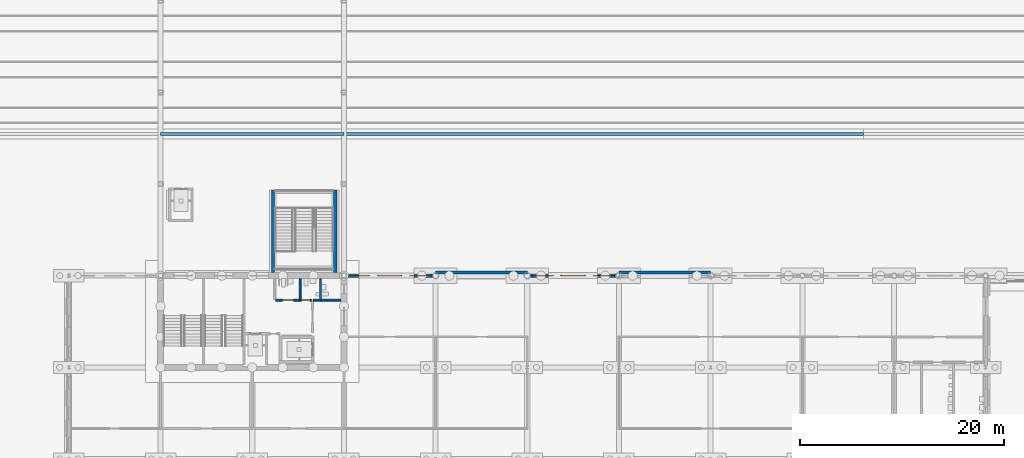
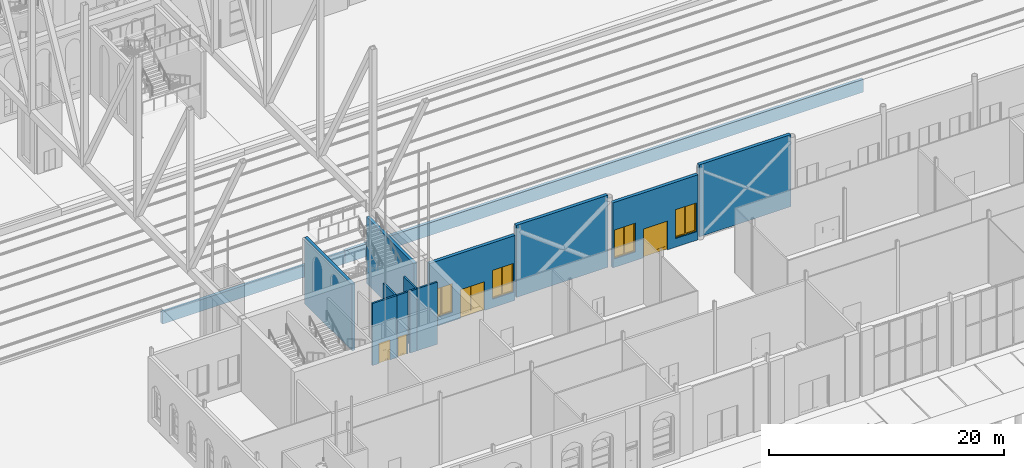
# One storey, part 98 of 250: 14 walls, 4 doors, 4 windows, 8 openings.
"""IFC4 building model written with IfcOpenShell, lengths in metres."""

from ifc_helpers import new_model, si_unit, direction, frame, frame_2d, origin, place, context, subcontext, project, spatial, polyline, rectangle, outline, extrude, material, layer, layer_set, type_object, element, fill, save


model = new_model("IFC4")

# Units and contexts
model_context = context("Model", 3, precision=1e-05, world=origin(), true_north=direction((0.0, 1.0)))
body_context = subcontext(model_context, "Body", "Model", "MODEL_VIEW")
ifc_project = project(units=[si_unit("LENGTHUNIT", "METRE"), si_unit("AREAUNIT", "SQUARE_METRE"), si_unit("VOLUMEUNIT", "CUBIC_METRE"), si_unit("PLANEANGLEUNIT", "RADIAN"), si_unit("MASSUNIT", "GRAM", prefix="KILO")], contexts=[model_context])

# Site, building, storey
site_placement = place(None, origin())
site = spatial("IfcSite", under=ifc_project, at=site_placement, CompositionType="ELEMENT")
building_placement = place(site_placement, origin())
building = spatial("IfcBuilding", under=site, at=building_placement, Name="Baradari Gate Terminus", CompositionType="ELEMENT")
storey_placement = place(building_placement, origin())
storey = spatial("IfcBuildingStorey", under=building, at=storey_placement, Name="L00", CompositionType="ELEMENT", Elevation=0.0)

# Walls
ifc_material_1 = material(Name="Concrete C40/50", Category="concrete")
ifc_layer_1 = layer(ifc_material_1, 0.300048828125)
ifc_layer_set_1 = layer_set([ifc_layer_1], Name="Concrete C40/50")
wall_type_1 = type_object("IfcWallType", Name="Platform edge wall CWL06 300", PredefinedType="SOLIDWALL", material=ifc_layer_set_1)
wall_1_placement = place(storey_placement, frame((72.0, 49.89990234375, -1.572021484375), z_axis=(0.0, 0.0, 1.0), x_axis=(1.0, 0.0, 0.0)))
element("IfcWall", 1, at=wall_1_placement, inside=storey, type_object=wall_type_1, Name="Platform 1 edge wall 1", PredefinedType="SOLIDWALL", context=body_context, shape_type="SweptSolid", body=[
    extrude(rectangle(XDim=18.0, YDim=0.300048828125, at=frame_2d((9.0, 0.0))), origin(), (0.0, 0.0, 1.0), 1.221923828125),
])
wall_2_placement = place(storey_placement, frame((90.0, 49.89990234375, -1.572021484375), z_axis=(0.0, 0.0, 1.0), x_axis=(1.0, 0.0, 0.0)))
element("IfcWall", 2, at=wall_2_placement, inside=storey, type_object=wall_type_1, Name="Platform 1 edge wall 2", PredefinedType="SOLIDWALL", context=body_context, shape_type="SweptSolid", body=[
    extrude(rectangle(XDim=51.0, YDim=0.300048828125, at=frame_2d((25.5, 0.0))), origin(), (0.0, 0.0, 1.0), 1.322021484375),
])
ifc_material_2 = material(Name="Concrete C40/50", Category="concrete")
ifc_layer_2 = layer(ifc_material_2, 0.300048828125)
ifc_layer_set_2 = layer_set([ifc_layer_2], Name="Concrete C40/50")
wall_type_2 = type_object("IfcWallType", Name="Platform stair spine wall SE-3 300 EI 120", PredefinedType="SOLIDWALL", material=ifc_layer_set_2)
for number, where, z_axis, x_axis, name in (
    (3, (83.050048828125, 36.302001953125, 0.0), (0.0, 0.0, 1.0), (0.0, 1.0, 0.0), "Stair spine wall SE-3 PS-1 L00 W"),
    (4, (89.14990234375, 36.302001953125, 0.0), (0.0, 0.0, 1.0), (0.0, 1.0, 0.0), "Stair spine wall SE-3 PS-1 L00 E"),
):
    element("IfcWall", number, at=place(storey_placement, frame(where, z_axis=z_axis, x_axis=x_axis)), inside=storey, type_object=wall_type_2, Name=name, PredefinedType="SOLIDWALL", context=body_context, shape_type="SweptSolid", body=[
        extrude(rectangle(XDim=8.097900390625, YDim=0.300048828125, at=frame_2d((4.048828125, 0.0))), origin(), (0.0, 0.0, 1.0), 6.902099609375),
    ])

# Wall, openings, door, windows
ifc_material_3 = material(Name="Sandstone masonry", Category="masonry")
ifc_layer_3 = layer(ifc_material_3, 0.320068359375)
ifc_layer_set_3 = layer_set([ifc_layer_3], Name="Sandstone masonry")
wall_type_3 = type_object("IfcWallType", Name="Sandstone masonry wall WS-3 320", PredefinedType="SOLIDWALL", material=ifc_layer_set_3)
wall_3_placement = place(storey_placement, frame((90.25, 36.0, 0.0), z_axis=(0.0, 0.0, 1.0), x_axis=(1.0, 0.0, 0.0)))
wall_3 = element("IfcWall", 5, at=wall_3_placement, inside=storey, type_object=wall_type_3, Name="platform side SN bay 11 L00", PredefinedType="SOLIDWALL", context=body_context, shape_type="SweptSolid", body=[
    extrude(rectangle(XDim=8.445068359375, YDim=0.320068359375, at=frame_2d((4.22265625, 0.0))), origin(), (0.0, 0.0, 1.0), 6.767333984375),
])
opening_1_placement = place(wall_3_placement, frame((3.050048828125, 0.0, 0.0)))
opening_1 = element("IfcOpeningElement", 6, at=opening_1_placement, cuts=wall_3, Name="Opening D00-054", PredefinedType="OPENING", context=body_context, shape_type="SweptSolid", body=[
    extrude(rectangle(XDim=2.39990234375, YDim=3.0, at=frame_2d((1.199951171875, 1.5))), frame((0.0, 0.169921875, 0.0), z_axis=(0.0, -1.0, 0.0), x_axis=(1.0, 0.0, 0.0)), (0.0, 0.0, 1.0), 0.340087890625),
])
opening_2_placement = place(wall_3_placement, frame((0.199951171875, 0.0, 0.89990234375)))
opening_2 = element("IfcOpeningElement", 7, at=opening_2_placement, cuts=wall_3, Name="Opening W8", PredefinedType="OPENING", context=body_context, shape_type="SweptSolid", body=[
    extrude(rectangle(XDim=2.10009765625, YDim=3.0, at=frame_2d((1.050048828125, 1.5))), frame((0.0, 0.169921875, 0.0), z_axis=(0.0, -1.0, 0.0), x_axis=(1.0, 0.0, 0.0)), (0.0, 0.0, 1.0), 0.340087890625),
])
opening_3_placement = place(wall_3_placement, frame((6.199951171875, 0.0, 0.89990234375)))
opening_3 = element("IfcOpeningElement", 8, at=opening_3_placement, cuts=wall_3, Name="Opening W8", PredefinedType="OPENING", context=body_context, shape_type="SweptSolid", body=[
    extrude(rectangle(XDim=2.10009765625, YDim=3.0, at=frame_2d((1.050048828125, 1.5))), frame((0.0, 0.169921875, 0.0), z_axis=(0.0, -1.0, 0.0), x_axis=(1.0, 0.0, 0.0)), (0.0, 0.0, 1.0), 0.340087890625),
])
ifc_material_4 = material(Name="Aluminium 6063-T6", Category="aluminium")
door_type_1 = type_object("IfcDoorType", Name="Platform door pair, glazed DT-7 2400x3000", OperationType="DOUBLE_DOOR_SINGLE_SWING", PredefinedType="DOOR", material=ifc_material_4)
door_1_placement = place(opening_1_placement, origin())
door_1 = element("IfcDoor", 9, at=door_1_placement, inside=storey, type_object=door_type_1, Name="Exit door Corridor (Platform Passage South)", OperationType="DOUBLE_DOOR_SINGLE_SWING", OverallHeight=3.0, OverallWidth=2.4, PredefinedType="DOOR", context=body_context, shape_type="SweptSolid", body=[
    extrude(outline(polyline([(0.0, 0.0), (0.070068359375, 0.0), (0.070068359375, 2.929931640625), (2.329833984375, 2.929931640625), (2.329833984375, 0.0), (2.39990234375, 0.0), (2.39990234375, 3.0), (0.0, 3.0), (0.0, 0.0)])), frame((0.0, 0.02490234375, 0.0), z_axis=(0.0, -1.0, 0.0), x_axis=(1.0, 0.0, 0.0)), (0.0, 0.0, 1.0), 0.050048828125),
    extrude(outline(polyline([(0.073974609375, 0.010009765625), (1.19677734375, 0.010009765625), (1.19677734375, 2.926025390625), (0.073974609375, 2.926025390625), (0.073974609375, 0.010009765625)]), holes=[polyline([(0.1640625, 0.31005859375), (1.10693359375, 0.31005859375), (1.10693359375, 2.8359375), (0.1640625, 2.8359375), (0.1640625, 0.31005859375)])]), frame((0.0, 0.017333984375, 0.0), z_axis=(0.0, -1.0, 0.0), x_axis=(1.0, 0.0, 0.0)), (0.0, 0.0, 1.0), 0.034912109375),
    extrude(rectangle(XDim=0.94287109375, YDim=2.52587890625, at=frame_2d((0.635498046875, 1.572998046875))), frame((0.0, 0.005859375, 0.0), z_axis=(0.0, -1.0, 0.0), x_axis=(1.0, 0.0, 0.0)), (0.0, 0.0, 1.0), 0.011962890625),
    extrude(outline(polyline([(1.203125, 0.010009765625), (2.325927734375, 0.010009765625), (2.325927734375, 2.926025390625), (1.203125, 2.926025390625), (1.203125, 0.010009765625)]), holes=[polyline([(1.29296875, 0.31005859375), (2.23583984375, 0.31005859375), (2.23583984375, 2.8359375), (1.29296875, 2.8359375), (1.29296875, 0.31005859375)])]), frame((0.0, 0.017333984375, 0.0), z_axis=(0.0, -1.0, 0.0), x_axis=(1.0, 0.0, 0.0)), (0.0, 0.0, 1.0), 0.034912109375),
    extrude(rectangle(XDim=0.94287109375, YDim=2.52587890625, at=frame_2d((1.764404296875, 1.572998046875))), frame((0.0, 0.005859375, 0.0), z_axis=(0.0, -1.0, 0.0), x_axis=(1.0, 0.0, 0.0)), (0.0, 0.0, 1.0), 0.011962890625),
])
fill(opening_1, door_1)
ifc_material_5 = material(Name="Aluminium 6063-T6", Category="aluminium")
window_type = type_object("IfcWindowType", Name="Platform-side window, 2-light W8 2100x3000", PartitioningType="DOUBLE_PANEL_VERTICAL", PredefinedType="WINDOW", material=ifc_material_5)
window_1_placement = place(opening_2_placement, origin())
window_1 = element("IfcWindow", 10, at=window_1_placement, inside=storey, type_object=window_type, Name="Window W8 SN/10", OverallHeight=3.0, OverallWidth=2.1, PartitioningType="DOUBLE_PANEL_VERTICAL", PredefinedType="WINDOW", context=body_context, shape_type="SweptSolid", body=[
    extrude(outline(polyline([(0.0, 0.0), (2.10009765625, 0.0), (2.10009765625, 3.0), (0.0, 3.0), (0.0, 0.0)]), holes=[polyline([(0.070068359375, 0.070068359375), (2.030029296875, 0.070068359375), (2.030029296875, 2.929931640625), (0.070068359375, 2.929931640625), (0.070068359375, 0.070068359375)])]), frame((0.0, 0.030029296875, 0.0), z_axis=(0.0, -1.0, 0.0), x_axis=(1.0, 0.0, 0.0)), (0.0, 0.0, 1.0), 0.06005859375),
    extrude(rectangle(XDim=0.0400390625, YDim=2.85986328125, at=frame_2d((1.050048828125, 1.5))), frame((0.0, 0.02197265625, 0.0), z_axis=(0.0, -1.0, 0.0), x_axis=(1.0, 0.0, 0.0)), (0.0, 0.0, 1.0), 0.0439453125),
    extrude(outline(polyline([(0.070068359375, 0.070068359375), (1.030029296875, 0.070068359375), (1.030029296875, 2.929931640625), (0.070068359375, 2.929931640625), (0.070068359375, 0.070068359375)]), holes=[polyline([(0.10009765625, 0.10009765625), (1.0, 0.10009765625), (1.0, 2.89990234375), (0.10009765625, 2.89990234375), (0.10009765625, 0.10009765625)])]), frame((0.0, 0.0224609375, 0.0), z_axis=(0.0, -1.0, 0.0), x_axis=(1.0, 0.0, 0.0)), (0.0, 0.0, 1.0), 0.044921875),
    extrude(rectangle(XDim=0.89990234375, YDim=2.7998046875, at=frame_2d((0.550048828125, 1.5))), frame((0.0, 0.006103515625, 0.0), z_axis=(0.0, -1.0, 0.0), x_axis=(1.0, 0.0, 0.0)), (0.0, 0.0, 1.0), 0.01220703125),
    extrude(outline(polyline([(1.070068359375, 0.070068359375), (2.030029296875, 0.070068359375), (2.030029296875, 2.929931640625), (1.070068359375, 2.929931640625), (1.070068359375, 0.070068359375)]), holes=[polyline([(1.10009765625, 0.10009765625), (2.0, 0.10009765625), (2.0, 2.89990234375), (1.10009765625, 2.89990234375), (1.10009765625, 0.10009765625)])]), frame((0.0, 0.0224609375, 0.0), z_axis=(0.0, -1.0, 0.0), x_axis=(1.0, 0.0, 0.0)), (0.0, 0.0, 1.0), 0.044921875),
    extrude(rectangle(XDim=0.89990234375, YDim=2.7998046875, at=frame_2d((1.550048828125, 1.5))), frame((0.0, 0.006103515625, 0.0), z_axis=(0.0, -1.0, 0.0), x_axis=(1.0, 0.0, 0.0)), (0.0, 0.0, 1.0), 0.01220703125),
])
fill(opening_2, window_1)
window_2_placement = place(opening_3_placement, origin())
window_2 = element("IfcWindow", 11, at=window_2_placement, inside=storey, type_object=window_type, Name="Window W8 SN/10", OverallHeight=3.0, OverallWidth=2.1, PartitioningType="DOUBLE_PANEL_VERTICAL", PredefinedType="WINDOW", context=body_context, shape_type="SweptSolid", body=[
    extrude(outline(polyline([(0.0, 0.0), (2.10009765625, 0.0), (2.10009765625, 3.0), (0.0, 3.0), (0.0, 0.0)]), holes=[polyline([(0.070068359375, 0.070068359375), (2.030029296875, 0.070068359375), (2.030029296875, 2.929931640625), (0.070068359375, 2.929931640625), (0.070068359375, 0.070068359375)])]), frame((0.0, 0.030029296875, 0.0), z_axis=(0.0, -1.0, 0.0), x_axis=(1.0, 0.0, 0.0)), (0.0, 0.0, 1.0), 0.06005859375),
    extrude(rectangle(XDim=0.0400390625, YDim=2.85986328125, at=frame_2d((1.050048828125, 1.5))), frame((0.0, 0.02197265625, 0.0), z_axis=(0.0, -1.0, 0.0), x_axis=(1.0, 0.0, 0.0)), (0.0, 0.0, 1.0), 0.0439453125),
    extrude(outline(polyline([(0.070068359375, 0.070068359375), (1.030029296875, 0.070068359375), (1.030029296875, 2.929931640625), (0.070068359375, 2.929931640625), (0.070068359375, 0.070068359375)]), holes=[polyline([(0.10009765625, 0.10009765625), (1.0, 0.10009765625), (1.0, 2.89990234375), (0.10009765625, 2.89990234375), (0.10009765625, 0.10009765625)])]), frame((0.0, 0.0224609375, 0.0), z_axis=(0.0, -1.0, 0.0), x_axis=(1.0, 0.0, 0.0)), (0.0, 0.0, 1.0), 0.044921875),
    extrude(rectangle(XDim=0.89990234375, YDim=2.7998046875, at=frame_2d((0.550048828125, 1.5))), frame((0.0, 0.006103515625, 0.0), z_axis=(0.0, -1.0, 0.0), x_axis=(1.0, 0.0, 0.0)), (0.0, 0.0, 1.0), 0.01220703125),
    extrude(outline(polyline([(1.070068359375, 0.070068359375), (2.030029296875, 0.070068359375), (2.030029296875, 2.929931640625), (1.070068359375, 2.929931640625), (1.070068359375, 0.070068359375)]), holes=[polyline([(1.10009765625, 0.10009765625), (2.0, 0.10009765625), (2.0, 2.89990234375), (1.10009765625, 2.89990234375), (1.10009765625, 0.10009765625)])]), frame((0.0, 0.0224609375, 0.0), z_axis=(0.0, -1.0, 0.0), x_axis=(1.0, 0.0, 0.0)), (0.0, 0.0, 1.0), 0.044921875),
    extrude(rectangle(XDim=0.89990234375, YDim=2.7998046875, at=frame_2d((1.550048828125, 1.5))), frame((0.0, 0.006103515625, 0.0), z_axis=(0.0, -1.0, 0.0), x_axis=(1.0, 0.0, 0.0)), (0.0, 0.0, 1.0), 0.01220703125),
])
fill(opening_3, window_2)

# Wall
wall_4_placement = place(storey_placement, frame((99.0, 36.31005859375, 0.0), z_axis=(0.0, 0.0, 1.0), x_axis=(1.0, 0.0, 0.0)))
element("IfcWall", 12, at=wall_4_placement, inside=storey, type_object=wall_type_3, Name="External wall platform side bay 11 L00", PredefinedType="SOLIDWALL", context=body_context, shape_type="SweptSolid", body=[
    extrude(rectangle(XDim=9.0, YDim=0.320068359375, at=frame_2d((4.5, 0.0))), origin(), (0.0, 0.0, 1.0), 7.5),
])

# Wall, openings, door, windows
wall_5_placement = place(storey_placement, frame((108.304931640625, 36.0, 0.0), z_axis=(0.0, 0.0, 1.0), x_axis=(1.0, 0.0, 0.0)))
wall_5 = element("IfcWall", 13, at=wall_5_placement, inside=storey, type_object=wall_type_3, Name="platform side SN bay 13 L00", PredefinedType="SOLIDWALL", context=body_context, shape_type="SweptSolid", body=[
    extrude(rectangle(XDim=8.39013671875, YDim=0.320068359375, at=frame_2d((4.195068359375, 0.0))), origin(), (0.0, 0.0, 1.0), 6.767333984375),
])
opening_4_placement = place(wall_5_placement, frame((2.9951171875, 0.0, 0.0)))
opening_4 = element("IfcOpeningElement", 14, at=opening_4_placement, cuts=wall_5, Name="Opening D00-055", PredefinedType="OPENING", context=body_context, shape_type="SweptSolid", body=[
    extrude(rectangle(XDim=2.39990234375, YDim=3.0, at=frame_2d((1.199951171875, 1.5))), frame((0.0, 0.169921875, 0.0), z_axis=(0.0, -1.0, 0.0), x_axis=(1.0, 0.0, 0.0)), (0.0, 0.0, 1.0), 0.340087890625),
])
opening_5_placement = place(wall_5_placement, frame((0.14501953125, 0.0, 0.89990234375)))
opening_5 = element("IfcOpeningElement", 15, at=opening_5_placement, cuts=wall_5, Name="Opening W8", PredefinedType="OPENING", context=body_context, shape_type="SweptSolid", body=[
    extrude(rectangle(XDim=2.10009765625, YDim=3.0, at=frame_2d((1.050048828125, 1.5))), frame((0.0, 0.169921875, 0.0), z_axis=(0.0, -1.0, 0.0), x_axis=(1.0, 0.0, 0.0)), (0.0, 0.0, 1.0), 0.340087890625),
])
opening_6_placement = place(wall_5_placement, frame((6.14501953125, 0.0, 0.89990234375)))
opening_6 = element("IfcOpeningElement", 16, at=opening_6_placement, cuts=wall_5, Name="Opening W8", PredefinedType="OPENING", context=body_context, shape_type="SweptSolid", body=[
    extrude(rectangle(XDim=2.10009765625, YDim=3.0, at=frame_2d((1.050048828125, 1.5))), frame((0.0, 0.169921875, 0.0), z_axis=(0.0, -1.0, 0.0), x_axis=(1.0, 0.0, 0.0)), (0.0, 0.0, 1.0), 0.340087890625),
])
door_2_placement = place(opening_4_placement, origin())
door_2 = element("IfcDoor", 17, at=door_2_placement, inside=storey, type_object=door_type_1, Name="Exit door Corridor (Platform Passage South)", OperationType="DOUBLE_DOOR_SINGLE_SWING", OverallHeight=3.0, OverallWidth=2.4, PredefinedType="DOOR", context=body_context, shape_type="SweptSolid", body=[
    extrude(outline(polyline([(0.0, 0.0), (0.070068359375, 0.0), (0.070068359375, 2.929931640625), (2.329833984375, 2.929931640625), (2.329833984375, 0.0), (2.39990234375, 0.0), (2.39990234375, 3.0), (0.0, 3.0), (0.0, 0.0)])), frame((0.0, 0.02490234375, 0.0), z_axis=(0.0, -1.0, 0.0), x_axis=(1.0, 0.0, 0.0)), (0.0, 0.0, 1.0), 0.050048828125),
    extrude(outline(polyline([(0.073974609375, 0.010009765625), (1.19677734375, 0.010009765625), (1.19677734375, 2.926025390625), (0.073974609375, 2.926025390625), (0.073974609375, 0.010009765625)]), holes=[polyline([(0.1640625, 0.31005859375), (1.10693359375, 0.31005859375), (1.10693359375, 2.8359375), (0.1640625, 2.8359375), (0.1640625, 0.31005859375)])]), frame((0.0, 0.017333984375, 0.0), z_axis=(0.0, -1.0, 0.0), x_axis=(1.0, 0.0, 0.0)), (0.0, 0.0, 1.0), 0.034912109375),
    extrude(rectangle(XDim=0.94287109375, YDim=2.52587890625, at=frame_2d((0.635498046875, 1.572998046875))), frame((0.0, 0.005859375, 0.0), z_axis=(0.0, -1.0, 0.0), x_axis=(1.0, 0.0, 0.0)), (0.0, 0.0, 1.0), 0.011962890625),
    extrude(outline(polyline([(1.203125, 0.010009765625), (2.325927734375, 0.010009765625), (2.325927734375, 2.926025390625), (1.203125, 2.926025390625), (1.203125, 0.010009765625)]), holes=[polyline([(1.29296875, 0.31005859375), (2.23583984375, 0.31005859375), (2.23583984375, 2.8359375), (1.29296875, 2.8359375), (1.29296875, 0.31005859375)])]), frame((0.0, 0.017333984375, 0.0), z_axis=(0.0, -1.0, 0.0), x_axis=(1.0, 0.0, 0.0)), (0.0, 0.0, 1.0), 0.034912109375),
    extrude(rectangle(XDim=0.94287109375, YDim=2.52587890625, at=frame_2d((1.764404296875, 1.572998046875))), frame((0.0, 0.005859375, 0.0), z_axis=(0.0, -1.0, 0.0), x_axis=(1.0, 0.0, 0.0)), (0.0, 0.0, 1.0), 0.011962890625),
])
fill(opening_4, door_2)
window_3_placement = place(opening_5_placement, origin())
window_3 = element("IfcWindow", 18, at=window_3_placement, inside=storey, type_object=window_type, Name="Window W8 SN/12", OverallHeight=3.0, OverallWidth=2.1, PartitioningType="DOUBLE_PANEL_VERTICAL", PredefinedType="WINDOW", context=body_context, shape_type="SweptSolid", body=[
    extrude(outline(polyline([(0.0, 0.0), (2.10009765625, 0.0), (2.10009765625, 3.0), (0.0, 3.0), (0.0, 0.0)]), holes=[polyline([(0.070068359375, 0.070068359375), (2.030029296875, 0.070068359375), (2.030029296875, 2.929931640625), (0.070068359375, 2.929931640625), (0.070068359375, 0.070068359375)])]), frame((0.0, 0.030029296875, 0.0), z_axis=(0.0, -1.0, 0.0), x_axis=(1.0, 0.0, 0.0)), (0.0, 0.0, 1.0), 0.06005859375),
    extrude(rectangle(XDim=0.0400390625, YDim=2.85986328125, at=frame_2d((1.050048828125, 1.5))), frame((0.0, 0.02197265625, 0.0), z_axis=(0.0, -1.0, 0.0), x_axis=(1.0, 0.0, 0.0)), (0.0, 0.0, 1.0), 0.0439453125),
    extrude(outline(polyline([(0.070068359375, 0.070068359375), (1.030029296875, 0.070068359375), (1.030029296875, 2.929931640625), (0.070068359375, 2.929931640625), (0.070068359375, 0.070068359375)]), holes=[polyline([(0.10009765625, 0.10009765625), (1.0, 0.10009765625), (1.0, 2.89990234375), (0.10009765625, 2.89990234375), (0.10009765625, 0.10009765625)])]), frame((0.0, 0.0224609375, 0.0), z_axis=(0.0, -1.0, 0.0), x_axis=(1.0, 0.0, 0.0)), (0.0, 0.0, 1.0), 0.044921875),
    extrude(rectangle(XDim=0.89990234375, YDim=2.7998046875, at=frame_2d((0.550048828125, 1.5))), frame((0.0, 0.006103515625, 0.0), z_axis=(0.0, -1.0, 0.0), x_axis=(1.0, 0.0, 0.0)), (0.0, 0.0, 1.0), 0.01220703125),
    extrude(outline(polyline([(1.070068359375, 0.070068359375), (2.030029296875, 0.070068359375), (2.030029296875, 2.929931640625), (1.070068359375, 2.929931640625), (1.070068359375, 0.070068359375)]), holes=[polyline([(1.10009765625, 0.10009765625), (2.0, 0.10009765625), (2.0, 2.89990234375), (1.10009765625, 2.89990234375), (1.10009765625, 0.10009765625)])]), frame((0.0, 0.0224609375, 0.0), z_axis=(0.0, -1.0, 0.0), x_axis=(1.0, 0.0, 0.0)), (0.0, 0.0, 1.0), 0.044921875),
    extrude(rectangle(XDim=0.89990234375, YDim=2.7998046875, at=frame_2d((1.550048828125, 1.5))), frame((0.0, 0.006103515625, 0.0), z_axis=(0.0, -1.0, 0.0), x_axis=(1.0, 0.0, 0.0)), (0.0, 0.0, 1.0), 0.01220703125),
])
fill(opening_5, window_3)
window_4_placement = place(opening_6_placement, origin())
window_4 = element("IfcWindow", 19, at=window_4_placement, inside=storey, type_object=window_type, Name="Window W8 SN/12", OverallHeight=3.0, OverallWidth=2.1, PartitioningType="DOUBLE_PANEL_VERTICAL", PredefinedType="WINDOW", context=body_context, shape_type="SweptSolid", body=[
    extrude(outline(polyline([(0.0, 0.0), (2.10009765625, 0.0), (2.10009765625, 3.0), (0.0, 3.0), (0.0, 0.0)]), holes=[polyline([(0.070068359375, 0.070068359375), (2.030029296875, 0.070068359375), (2.030029296875, 2.929931640625), (0.070068359375, 2.929931640625), (0.070068359375, 0.070068359375)])]), frame((0.0, 0.030029296875, 0.0), z_axis=(0.0, -1.0, 0.0), x_axis=(1.0, 0.0, 0.0)), (0.0, 0.0, 1.0), 0.06005859375),
    extrude(rectangle(XDim=0.0400390625, YDim=2.85986328125, at=frame_2d((1.050048828125, 1.5))), frame((0.0, 0.02197265625, 0.0), z_axis=(0.0, -1.0, 0.0), x_axis=(1.0, 0.0, 0.0)), (0.0, 0.0, 1.0), 0.0439453125),
    extrude(outline(polyline([(0.070068359375, 0.070068359375), (1.030029296875, 0.070068359375), (1.030029296875, 2.929931640625), (0.070068359375, 2.929931640625), (0.070068359375, 0.070068359375)]), holes=[polyline([(0.10009765625, 0.10009765625), (1.0, 0.10009765625), (1.0, 2.89990234375), (0.10009765625, 2.89990234375), (0.10009765625, 0.10009765625)])]), frame((0.0, 0.0224609375, 0.0), z_axis=(0.0, -1.0, 0.0), x_axis=(1.0, 0.0, 0.0)), (0.0, 0.0, 1.0), 0.044921875),
    extrude(rectangle(XDim=0.89990234375, YDim=2.7998046875, at=frame_2d((0.550048828125, 1.5))), frame((0.0, 0.006103515625, 0.0), z_axis=(0.0, -1.0, 0.0), x_axis=(1.0, 0.0, 0.0)), (0.0, 0.0, 1.0), 0.01220703125),
    extrude(outline(polyline([(1.070068359375, 0.070068359375), (2.030029296875, 0.070068359375), (2.030029296875, 2.929931640625), (1.070068359375, 2.929931640625), (1.070068359375, 0.070068359375)]), holes=[polyline([(1.10009765625, 0.10009765625), (2.0, 0.10009765625), (2.0, 2.89990234375), (1.10009765625, 2.89990234375), (1.10009765625, 0.10009765625)])]), frame((0.0, 0.0224609375, 0.0), z_axis=(0.0, -1.0, 0.0), x_axis=(1.0, 0.0, 0.0)), (0.0, 0.0, 1.0), 0.044921875),
    extrude(rectangle(XDim=0.89990234375, YDim=2.7998046875, at=frame_2d((1.550048828125, 1.5))), frame((0.0, 0.006103515625, 0.0), z_axis=(0.0, -1.0, 0.0), x_axis=(1.0, 0.0, 0.0)), (0.0, 0.0, 1.0), 0.01220703125),
])
fill(opening_6, window_4)

# Wall
wall_6_placement = place(storey_placement, frame((117.0, 36.31005859375, 0.0), z_axis=(0.0, 0.0, 1.0), x_axis=(1.0, 0.0, 0.0)))
element("IfcWall", 20, at=wall_6_placement, inside=storey, type_object=wall_type_3, Name="External wall platform side bay 13 L00", PredefinedType="SOLIDWALL", context=body_context, shape_type="SweptSolid", body=[
    extrude(rectangle(XDim=9.0, YDim=0.320068359375, at=frame_2d((4.5, 0.0))), origin(), (0.0, 0.0, 1.0), 7.5),
])

# Wall, opening, door
ifc_material_6 = material(Name="Blockwork wall, tiled both faces", Category="masonry")
ifc_layer_4 = layer(ifc_material_6, 0.175048828125)
ifc_layer_set_4 = layer_set([ifc_layer_4], Name="Blockwork wall, tiled both faces")
wall_type_4 = type_object("IfcWallType", Name="WC wet wall PT-6 175 EI 60", PredefinedType="PARTITIONING", material=ifc_layer_set_4)
wall_7_placement = place(storey_placement, frame((85.699951171875, 33.60009765625, 0.0), z_axis=(0.0, 0.0, 1.0), x_axis=(1.0, 0.0, 0.0)))
wall_7 = element("IfcWall", 21, at=wall_7_placement, inside=storey, type_object=wall_type_4, Name="PT-6 partition Lift Lobby / Male WC", PredefinedType="PARTITIONING", context=body_context, shape_type="SweptSolid", body=[
    extrude(rectangle(XDim=1.10009765625, YDim=0.175048828125, at=frame_2d((0.550048828125, 0.0))), origin(), (0.0, 0.0, 1.0), 6.458984375),
])
opening_7_placement = place(wall_7_placement, frame((0.10009765625, 0.0, 0.0)))
opening_7 = element("IfcOpeningElement", 22, at=opening_7_placement, cuts=wall_7, Name="Opening D00-168", PredefinedType="OPENING", context=body_context, shape_type="SweptSolid", body=[
    extrude(rectangle(XDim=0.89990234375, YDim=2.10009765625, at=frame_2d((0.449951171875, 1.050048828125))), frame((0.0, 0.097412109375, 0.0), z_axis=(0.0, -1.0, 0.0), x_axis=(1.0, 0.0, 0.0)), (0.0, 0.0, 1.0), 0.195068359375),
])
ifc_material_7 = material(Name="Steel S275", Category="steel")
door_type_2 = type_object("IfcDoorType", Name="Fire door FI-900-FD60S 900x2100 FD60S", OperationType="SINGLE_SWING_LEFT", PredefinedType="DOOR", material=ifc_material_7)
door_3_placement = place(opening_7_placement, origin())
door_3 = element("IfcDoor", 23, at=door_3_placement, inside=storey, type_object=door_type_2, Name="Door Male WC", OperationType="SINGLE_SWING_LEFT", OverallHeight=2.1, OverallWidth=0.9, PredefinedType="DOOR", context=body_context, shape_type="SweptSolid", body=[
    extrude(outline(polyline([(0.0, 0.0), (0.070068359375, 0.0), (0.070068359375, 2.030029296875), (0.829833984375, 2.030029296875), (0.829833984375, 0.0), (0.89990234375, 0.0), (0.89990234375, 2.10009765625), (0.0, 2.10009765625), (0.0, 0.0)])), frame((0.0, 0.02490234375, 0.0), z_axis=(0.0, -1.0, 0.0), x_axis=(1.0, 0.0, 0.0)), (0.0, 0.0, 1.0), 0.050048828125),
    extrude(outline(polyline([(0.073974609375, 0.010009765625), (0.825927734375, 0.010009765625), (0.825927734375, 2.026123046875), (0.073974609375, 2.026123046875), (0.073974609375, 0.010009765625)]), holes=[polyline([(0.194091796875, 0.159912109375), (0.705810546875, 0.159912109375), (0.705810546875, 1.010009765625), (0.194091796875, 1.010009765625), (0.194091796875, 0.159912109375)]), polyline([(0.300048828125, 1.159912109375), (0.599853515625, 1.159912109375), (0.599853515625, 1.760009765625), (0.300048828125, 1.760009765625), (0.300048828125, 1.159912109375)])]), frame((0.0, 0.017333984375, 0.0), z_axis=(0.0, -1.0, 0.0), x_axis=(1.0, 0.0, 0.0)), (0.0, 0.0, 1.0), 0.034912109375),
    extrude(rectangle(XDim=0.51171875, YDim=0.85009765625, at=frame_2d((0.449951171875, 0.5849609375))), frame((0.0, 0.008544921875, 0.0), z_axis=(0.0, -1.0, 0.0), x_axis=(1.0, 0.0, 0.0)), (0.0, 0.0, 1.0), 0.017333984375),
    extrude(rectangle(XDim=0.2998046875, YDim=0.60009765625, at=frame_2d((0.449951171875, 1.4599609375))), frame((0.0, 0.005859375, 0.0), z_axis=(0.0, -1.0, 0.0), x_axis=(1.0, 0.0, 0.0)), (0.0, 0.0, 1.0), 0.011962890625),
])
fill(opening_7, door_3)

wall_8_placement = place(storey_placement, frame((83.300048828125, 33.60009765625, 0.0), z_axis=(0.0, 0.0, 1.0), x_axis=(1.0, 0.0, 0.0)))
wall_8 = element("IfcWall", 24, at=wall_8_placement, inside=storey, type_object=wall_type_4, Name="PT-6 partition Lift Lobby / Accessible WC", PredefinedType="PARTITIONING", context=body_context, shape_type="SweptSolid", body=[
    extrude(rectangle(XDim=2.39990234375, YDim=0.175048828125, at=frame_2d((1.199951171875, 0.0))), origin(), (0.0, 0.0, 1.0), 6.458984375),
])
opening_8_placement = place(wall_8_placement, frame((0.64990234375, 0.0, 0.0)))
opening_8 = element("IfcOpeningElement", 25, at=opening_8_placement, cuts=wall_8, Name="Opening D00-167", PredefinedType="OPENING", context=body_context, shape_type="SweptSolid", body=[
    extrude(rectangle(XDim=1.10009765625, YDim=2.10009765625, at=frame_2d((0.550048828125, 1.050048828125))), frame((0.0, 0.097412109375, 0.0), z_axis=(0.0, -1.0, 0.0), x_axis=(1.0, 0.0, 0.0)), (0.0, 0.0, 1.0), 0.195068359375),
])
ifc_material_8 = material(Name="Steel S275", Category="steel")
door_type_3 = type_object("IfcDoorType", Name="Fire door FI-1100-FD60S 1100x2100 FD60S", OperationType="SINGLE_SWING_LEFT", PredefinedType="DOOR", material=ifc_material_8)
door_4_placement = place(opening_8_placement, origin())
door_4 = element("IfcDoor", 26, at=door_4_placement, inside=storey, type_object=door_type_3, Name="Door Accessible WC", OperationType="SINGLE_SWING_LEFT", OverallHeight=2.1, OverallWidth=1.1, PredefinedType="DOOR", context=body_context, shape_type="SweptSolid", body=[
    extrude(outline(polyline([(0.0, 0.0), (0.070068359375, 0.0), (0.070068359375, 2.030029296875), (1.030029296875, 2.030029296875), (1.030029296875, 0.0), (1.10009765625, 0.0), (1.10009765625, 2.10009765625), (0.0, 2.10009765625), (0.0, 0.0)])), frame((0.0, 0.02490234375, 0.0), z_axis=(0.0, -1.0, 0.0), x_axis=(1.0, 0.0, 0.0)), (0.0, 0.0, 1.0), 0.050048828125),
    extrude(outline(polyline([(0.073974609375, 0.010009765625), (1.026123046875, 0.010009765625), (1.026123046875, 2.026123046875), (0.073974609375, 2.026123046875), (0.073974609375, 0.010009765625)]), holes=[polyline([(0.194091796875, 0.159912109375), (0.906005859375, 0.159912109375), (0.906005859375, 1.010009765625), (0.194091796875, 1.010009765625), (0.194091796875, 0.159912109375)]), polyline([(0.400146484375, 1.159912109375), (0.699951171875, 1.159912109375), (0.699951171875, 1.760009765625), (0.400146484375, 1.760009765625), (0.400146484375, 1.159912109375)])]), frame((0.0, 0.017333984375, 0.0), z_axis=(0.0, -1.0, 0.0), x_axis=(1.0, 0.0, 0.0)), (0.0, 0.0, 1.0), 0.034912109375),
    extrude(rectangle(XDim=0.7119140625, YDim=0.85009765625, at=frame_2d((0.550048828125, 0.5849609375))), frame((0.0, 0.008544921875, 0.0), z_axis=(0.0, -1.0, 0.0), x_axis=(1.0, 0.0, 0.0)), (0.0, 0.0, 1.0), 0.017333984375),
    extrude(rectangle(XDim=0.2998046875, YDim=0.60009765625, at=frame_2d((0.550048828125, 1.4599609375))), frame((0.0, 0.005859375, 0.0), z_axis=(0.0, -1.0, 0.0), x_axis=(1.0, 0.0, 0.0)), (0.0, 0.0, 1.0), 0.011962890625),
])
fill(opening_8, door_4)

# Walls
wall_9_placement = place(storey_placement, frame((87.699951171875, 33.60009765625, 0.0), z_axis=(0.0, 0.0, 1.0), x_axis=(1.0, 0.0, 0.0)))
element("IfcWall", 27, at=wall_9_placement, inside=storey, type_object=wall_type_4, Name="PT-6 partition Lift Lobby (Fire-fighting) / Female WC", PredefinedType="PARTITIONING", context=body_context, shape_type="SweptSolid", body=[
    extrude(rectangle(XDim=1.998046875, YDim=0.175048828125, at=frame_2d((0.9990234375, 0.0))), origin(), (0.0, 0.0, 1.0), 6.458984375),
])
wall_10_placement = place(storey_placement, frame((87.0, 33.60009765625, 0.0), z_axis=(0.0, 0.0, 1.0), x_axis=(1.0, 0.0, 0.0)))
element("IfcWall", 28, at=wall_10_placement, inside=storey, type_object=wall_type_4, Name="PT-6 partition Lift Lobby (Fire-fighting) / Male WC", PredefinedType="PARTITIONING", context=body_context, shape_type="SweptSolid", body=[
    extrude(rectangle(XDim=0.699951171875, YDim=0.175048828125, at=frame_2d((0.35009765625, 0.0))), origin(), (0.0, 0.0, 1.0), 6.458984375),
])
for number, where, z_axis, x_axis, name in (
    (29, (85.699951171875, 35.697998046875, 0.0), (0.0, 0.0, 1.0), (0.0, -1.0, 0.0), "PT-6 partition Accessible WC / Male WC"),
    (30, (87.699951171875, 35.697998046875, 0.0), (0.0, 0.0, 1.0), (0.0, -1.0, 0.0), "PT-6 partition Male WC / Female WC"),
):
    element("IfcWall", number, at=place(storey_placement, frame(where, z_axis=z_axis, x_axis=x_axis)), inside=storey, type_object=wall_type_4, Name=name, PredefinedType="PARTITIONING", context=body_context, shape_type="SweptSolid", body=[
        extrude(rectangle(XDim=1.998046875, YDim=0.175048828125, at=frame_2d((0.9990234375, 0.0))), origin(), (0.0, 0.0, 1.0), 6.458984375),
    ])

save(model, "model.ifc")
